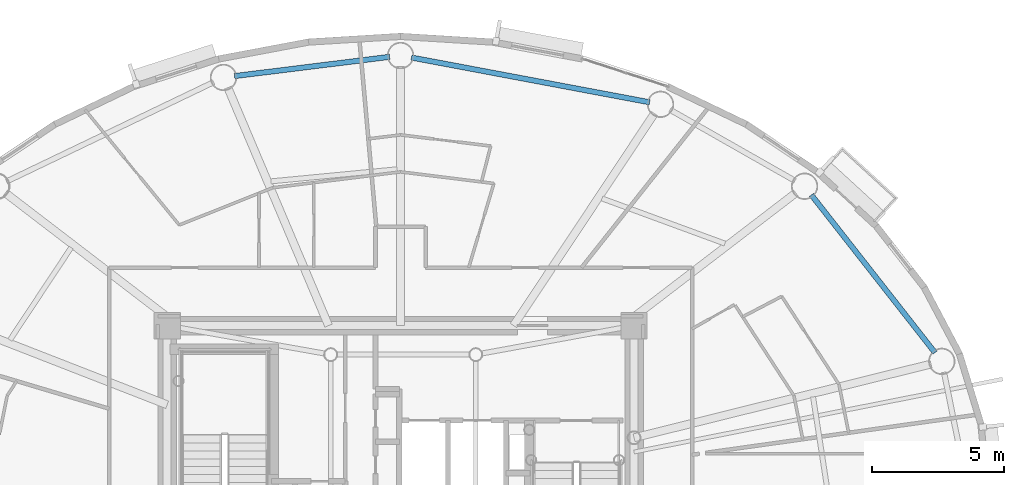
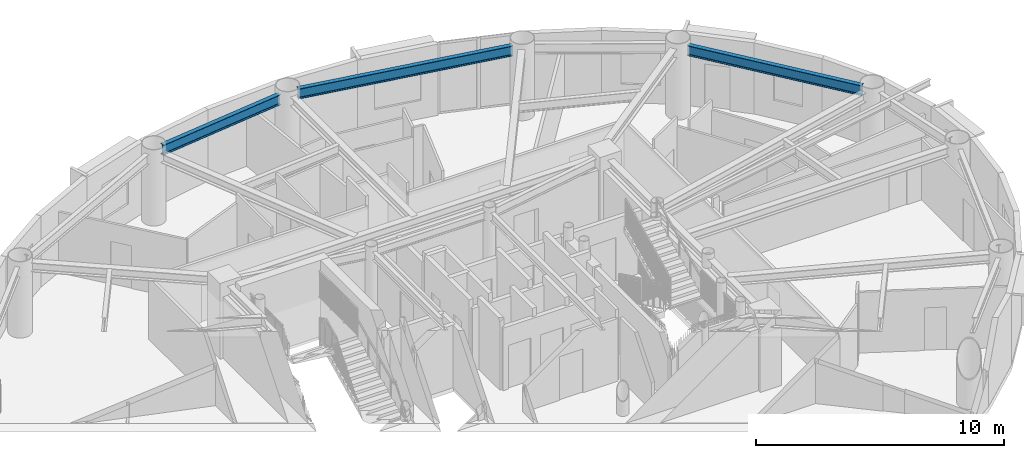
# One storey, part 3 of 17: 3 beams.
"""IFC4 building model written with IfcOpenShell, lengths in metres."""

from ifc_helpers import new_model, si_unit, direction, frame, origin, origin_2d, place, context, subcontext, project, spatial, i_section, extrude, material, material_profile, profile_set, type_object, element, save


model = new_model("IFC4")

# Units and contexts
model_context = context("Model", 3, precision=1e-05, world=origin(), true_north=direction((0.0, 1.0)))
body_context = subcontext(model_context, "Body", "Model", "MODEL_VIEW")
ifc_project = project(units=[si_unit("LENGTHUNIT", "METRE"), si_unit("AREAUNIT", "SQUARE_METRE"), si_unit("VOLUMEUNIT", "CUBIC_METRE"), si_unit("PLANEANGLEUNIT", "RADIAN"), si_unit("MASSUNIT", "GRAM", prefix="KILO")], contexts=[model_context])

# Site, building, storey
site_placement = place(None, origin())
site = spatial("IfcSite", under=ifc_project, at=site_placement, CompositionType="ELEMENT")
building_placement = place(site_placement, origin())
building = spatial("IfcBuilding", under=site, at=building_placement, Name="Linh Dai School and Residence Tower", CompositionType="ELEMENT")
storey_placement = place(building_placement, frame((0.0, 0.0, 276.75)))
storey = spatial("IfcBuildingStorey", under=building, at=storey_placement, Name="L68", CompositionType="ELEMENT", Elevation=276.75)

# Beams
ifc_material = material(Name="Structural Steel S355JR", Category="steel")
ifc_material_profile = material_profile(ifc_material, i_section(OverallWidth=0.199951171875, OverallDepth=0.5, WebThickness=0.01025390625, FlangeThickness=0.01611328125, FilletRadius=0.02099609375, at=origin_2d()), Name="IPE 500")
ifc_profile_set = profile_set([ifc_material_profile], Name="Structural Steel S355JR")
beam_type = type_object("IfcBeamType", Name="BM-RB50", PredefinedType="BEAM", material=ifc_profile_set)
beam_1_placement = place(storey_placement, frame((56.259521484375, 32.425048828125, 3.25), z_axis=(-0.616882739554, 0.787055071542, 0.0), x_axis=(-0.787055071542, -0.616882739554, 0.0)))
element("IfcBeam", 1, at=beam_1_placement, inside=storey, type_object=beam_type, Name="L68 Perimeter Elliptical Ring Beam 02", PredefinedType="BEAM", context=body_context, shape_type="SweptSolid", body=[
    extrude(i_section(OverallWidth=0.199951171875, OverallDepth=0.5, WebThickness=0.01025390625, FlangeThickness=0.01611328125, FilletRadius=0.02099609375, at=origin_2d()), origin(), (0.0, 0.0, 1.0), 7.59521484375),
])
beam_2_placement = place(storey_placement, frame((45.441650390625, 41.916259765625, 3.25), z_axis=(-0.982805333306, 0.184644731378, 0.0), x_axis=(-0.184644731378, -0.982805333306, 0.0)))
element("IfcBeam", 2, at=beam_2_placement, inside=storey, type_object=beam_type, Name="L68 Perimeter Elliptical Ring Beam 04", PredefinedType="BEAM", context=body_context, shape_type="SweptSolid", body=[
    extrude(i_section(OverallWidth=0.199951171875, OverallDepth=0.5, WebThickness=0.01025390625, FlangeThickness=0.01611328125, FilletRadius=0.02099609375, at=origin_2d()), origin(), (0.0, 0.0, 1.0), 9.186767578125),
])
beam_3_placement = place(storey_placement, frame((35.583251953125, 43.638427734375, 3.25), z_axis=(-0.992399134443, -0.123060789678, 0.0), x_axis=(0.123060789678, -0.992399134443, 0.0)))
element("IfcBeam", 3, at=beam_3_placement, inside=storey, type_object=beam_type, Name="L68 Perimeter Elliptical Ring Beam 05", PredefinedType="BEAM", context=body_context, shape_type="SweptSolid", body=[
    extrude(i_section(OverallWidth=0.199951171875, OverallDepth=0.5, WebThickness=0.01025390625, FlangeThickness=0.01611328125, FilletRadius=0.02099609375, at=origin_2d()), origin(), (0.0, 0.0, 1.0), 5.923828125),
])

save(model, "model.ifc")
